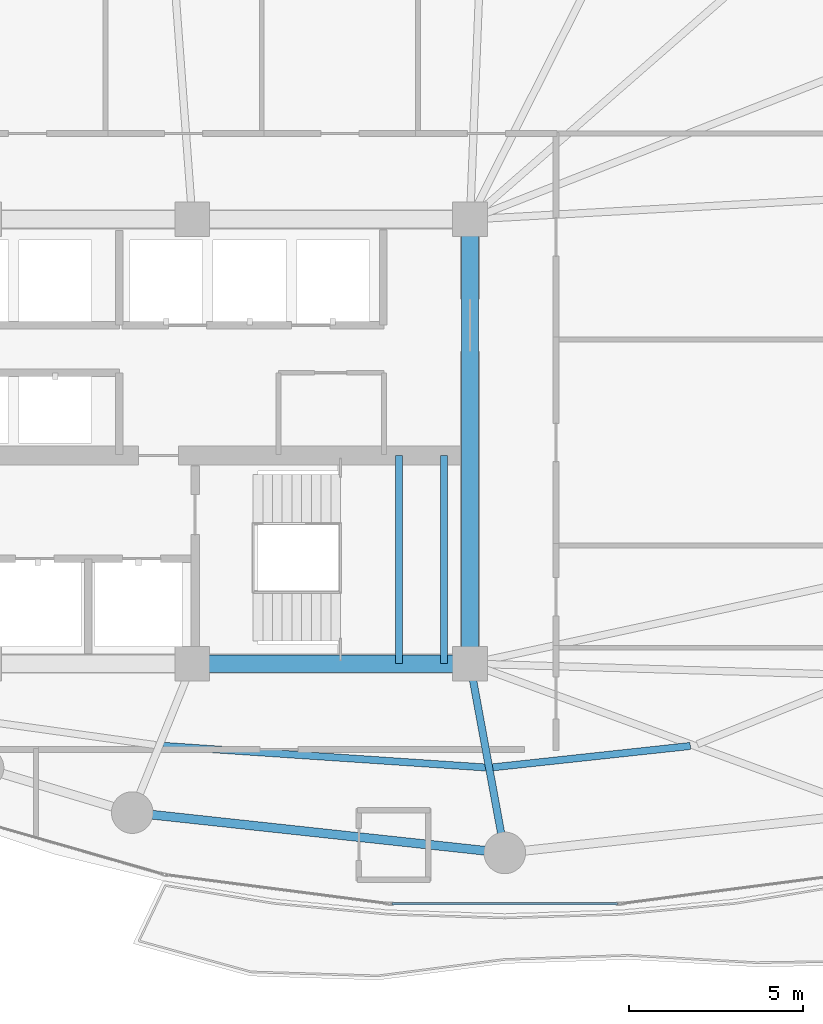
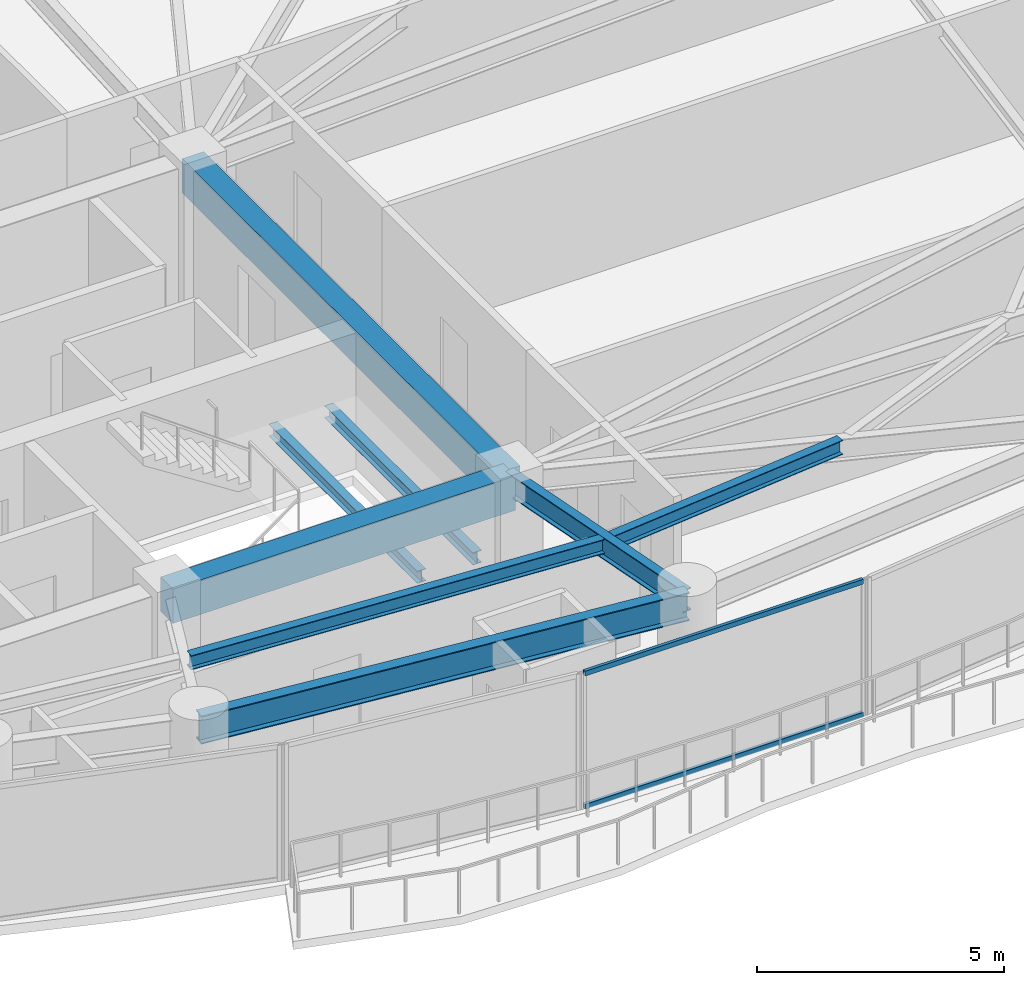
# One storey, part 6 of 28: 8 beams, 2 members, 1 element without a shape of its own.
"""IFC4 building model written with IfcOpenShell, lengths in metres."""

from ifc_helpers import new_model, si_unit, direction, frame, origin, origin_2d, place, context, subcontext, project, spatial, rectangle, hollow_rectangle, i_section, extrude, material, layer, layer_set, material_profile, profile_set, type_object, element, aggregate, save


model = new_model("IFC4")

# Units and contexts
model_context = context("Model", 3, precision=1e-05, world=origin(), true_north=direction((0.0, 1.0)))
body_context = subcontext(model_context, "Body", "Model", "MODEL_VIEW")
ifc_project = project(units=[si_unit("LENGTHUNIT", "METRE"), si_unit("AREAUNIT", "SQUARE_METRE"), si_unit("VOLUMEUNIT", "CUBIC_METRE"), si_unit("PLANEANGLEUNIT", "RADIAN"), si_unit("MASSUNIT", "GRAM", prefix="KILO")], contexts=[model_context])

# Site, building, storey
site_placement = place(None, origin())
site = spatial("IfcSite", under=ifc_project, at=site_placement, CompositionType="ELEMENT")
building_placement = place(site_placement, origin())
building = spatial("IfcBuilding", under=site, at=building_placement, Name="Kazevale Care Tower and Concert Hall", CompositionType="ELEMENT")
storey_placement = place(building_placement, frame((0.0, 0.0, 102.60009765625)))
storey = spatial("IfcBuildingStorey", under=building, at=storey_placement, Name="L26", CompositionType="ELEMENT", Elevation=102.60009765625)

# Curtain wall, members
ifc_material_1 = material(Name="Aluminium 6063-T6 and Low-E Glass", Category="aluminium")
ifc_layer = layer(ifc_material_1, 0.179931640625)
ifc_layer_set = layer_set([ifc_layer], Name="Aluminium 6063-T6 and Low-E Glass")
curtain_wall_type = type_object("IfcCurtainWallType", Name="Sheltered Concave Balcony Curtain Wall CW-5", PredefinedType="NOTDEFINED", material=ifc_layer_set)
curtain_wall_placement = place(storey_placement, origin())
curtain_wall = element("IfcCurtainWall", 1, at=curtain_wall_placement, inside=storey, type_object=curtain_wall_type, Name="cw:L26:f06", PredefinedType="NOTDEFINED")
ifc_material_2 = material(Name="Aluminium 6063-T6", Category="aluminium")
ifc_material_profile_1 = material_profile(ifc_material_2, hollow_rectangle(XDim=0.074951171875, YDim=0.1201171875, WallThickness=0.00390625, at=origin_2d()), Name="ALU75x120x4")
ifc_profile_set_1 = profile_set([ifc_material_profile_1], Name="Aluminium 6063-T6")
member_type = type_object("IfcMemberType", Name="CW-5 Transom ALU75x120x4", PredefinedType="USERDEFINED", material=ifc_profile_set_1)
member_1_placement = place(storey_placement, frame((48.25, 16.68408203125, 0.037353515625), z_axis=(-1.0, 0.0, 0.0), x_axis=(0.0, -1.0, 0.0)))
member_1 = element("IfcMember", 2, at=member_1_placement, type_object=member_type, Name="CW-5 transom 1.1", ObjectType="TRANSOM", PredefinedType="USERDEFINED", context=body_context, shape_type="SweptSolid", body=[
    extrude(hollow_rectangle(XDim=0.074951171875, YDim=0.1201171875, WallThickness=0.00390625, at=origin_2d()), origin(), (0.0, 0.0, 1.0), 6.5),
])
member_2_placement = place(storey_placement, frame((48.25, 16.68408203125, 3.322509765625), z_axis=(-1.0, 0.0, 0.0), x_axis=(0.0, -1.0, 0.0)))
member_2 = element("IfcMember", 3, at=member_2_placement, type_object=member_type, Name="CW-5 transom 1.2", ObjectType="TRANSOM", PredefinedType="USERDEFINED", context=body_context, shape_type="SweptSolid", body=[
    extrude(hollow_rectangle(XDim=0.074951171875, YDim=0.1201171875, WallThickness=0.00390625, at=origin_2d()), origin(), (0.0, 0.0, 1.0), 6.5),
])
aggregate(curtain_wall, [member_1, member_2])

# Beams
ifc_material_3 = material(Name="Concrete C60", Category="concrete")
ifc_material_profile_2 = material_profile(ifc_material_3, rectangle(XDim=0.5, YDim=0.85009765625, at=origin_2d()), Name="RC-B500x850")
ifc_profile_set_2 = profile_set([ifc_material_profile_2], Name="Concrete C60")
beam_type_1 = type_object("IfcBeamType", Name="Core Coupling Beam RC500x850", PredefinedType="LINTEL", material=ifc_profile_set_2)
beam_1_placement = place(storey_placement, frame((36.0, 23.60009765625, 2.934814453125), z_axis=(1.0, 0.0, 0.0), x_axis=(0.0, 1.0, 0.0)))
element("IfcBeam", 4, at=beam_1_placement, inside=storey, type_object=beam_type_1, Name="beam:L26:coretie:3", PredefinedType="LINTEL", context=body_context, shape_type="SweptSolid", body=[
    extrude(rectangle(XDim=0.5, YDim=0.85009765625, at=origin_2d()), origin(), (0.0, 0.0, 1.0), 8.0),
])
beam_2_placement = place(storey_placement, frame((44.0, 23.60009765625, 2.934814453125), z_axis=(0.0, 1.0, 0.0), x_axis=(-1.0, 0.0, 0.0)))
element("IfcBeam", 5, at=beam_2_placement, inside=storey, type_object=beam_type_1, Name="beam:L26:coretie:4", PredefinedType="LINTEL", context=body_context, shape_type="SweptSolid", body=[
    extrude(rectangle(XDim=0.5, YDim=0.85009765625, at=origin_2d()), origin(), (0.0, 0.0, 1.0), 12.7998046875),
])
ifc_material_4 = material(Name="Steel ASTM A572 Gr 50", Category="steel")
ifc_material_profile_3 = material_profile(ifc_material_4, i_section(OverallWidth=0.2119140625, OverallDepth=0.5439453125, WebThickness=0.01318359375, FlangeThickness=0.021240234375, at=origin_2d()), Name="W530x123")
ifc_profile_set_3 = profile_set([ifc_material_profile_3], Name="Steel ASTM A572 Gr 50")
beam_type_2 = type_object("IfcBeamType", Name="Radial Floor Girder W530x123", PredefinedType="BEAM", material=ifc_profile_set_3)
beam_3_placement = place(storey_placement, frame((44.0, 23.60009765625, 3.087890625), z_axis=(0.180467114023, -0.983581018908, 0.0), x_axis=(0.983581018908, 0.180467114023, 0.0)))
element("IfcBeam", 6, at=beam_3_placement, inside=storey, type_object=beam_type_2, Name="beam:L26:rad:13", PredefinedType="BEAM", context=body_context, shape_type="SweptSolid", body=[
    extrude(i_section(OverallWidth=0.2119140625, OverallDepth=0.5439453125, WebThickness=0.01318359375, FlangeThickness=0.021240234375, at=origin_2d()), origin(), (0.0, 0.0, 1.0), 5.541259765625),
])
ifc_material_profile_4 = material_profile(ifc_material_4, i_section(OverallWidth=0.205078125, OverallDepth=0.35400390625, WebThickness=0.009521484375, FlangeThickness=0.016845703125, at=origin_2d()), Name="W360x79")
ifc_profile_set_4 = profile_set([ifc_material_profile_4], Name="Steel ASTM A572 Gr 50")
beam_type_3 = type_object("IfcBeamType", Name="Secondary Floor Joist W360x79", PredefinedType="JOIST", material=ifc_profile_set_4)
beam_4_placement = place(storey_placement, frame((35.153076171875, 21.23291015625, 3.182861328125), z_axis=(0.997761314569, -0.06687569925, 0.0), x_axis=(0.06687569925, 0.997761314569, 0.0)))
element("IfcBeam", 7, at=beam_4_placement, inside=storey, type_object=beam_type_3, Name="beam:L26:joist:12", PredefinedType="JOIST", context=body_context, shape_type="SweptSolid", body=[
    extrude(i_section(OverallWidth=0.205078125, OverallDepth=0.35400390625, WebThickness=0.009521484375, FlangeThickness=0.016845703125, at=origin_2d()), origin(), (0.0, 0.0, 1.0), 9.312744140625),
])
beam_5_placement = place(storey_placement, frame((44.654052734375, 20.614013671875, 3.182861328125), z_axis=(0.994215541126, 0.107403248482, 0.0), x_axis=(-0.107403248482, 0.994215541126, 0.0)))
element("IfcBeam", 8, at=beam_5_placement, inside=storey, type_object=beam_type_3, Name="beam:L26:joist:13", PredefinedType="JOIST", context=body_context, shape_type="SweptSolid", body=[
    extrude(i_section(OverallWidth=0.205078125, OverallDepth=0.35400390625, WebThickness=0.009521484375, FlangeThickness=0.016845703125, at=origin_2d()), origin(), (0.0, 0.0, 1.0), 5.72607421875),
])
ifc_material_profile_5 = material_profile(ifc_material_4, i_section(OverallWidth=0.202880859375, OverallDepth=0.302978515625, WebThickness=0.007568359375, FlangeThickness=0.01318359375, at=origin_2d()), Name="W310x60")
ifc_profile_set_5 = profile_set([ifc_material_profile_5], Name="Steel ASTM A572 Gr 50")
beam_type_4 = type_object("IfcBeamType", Name="Stair & Balcony Trimmer W310x60", PredefinedType="BEAM", material=ifc_profile_set_5)
for number, where, z_axis, x_axis, name in (
    (9, (41.949951171875, 23.60009765625, 1.448486328125), (0.0, 1.0, 0.0), (-1.0, 0.0, 0.0), "beam:L26:sttrim:ST2"),
    (10, (43.25, 23.60009765625, 1.448486328125), (0.0, 1.0, 0.0), (-1.0, 0.0, 0.0), "beam:L26:sttrim:ST2b"),
):
    element("IfcBeam", number, at=place(storey_placement, frame(where, z_axis=z_axis, x_axis=x_axis)), inside=storey, type_object=beam_type_4, Name=name, PredefinedType="BEAM", context=body_context, shape_type="SweptSolid", body=[
        extrude(i_section(OverallWidth=0.202880859375, OverallDepth=0.302978515625, WebThickness=0.007568359375, FlangeThickness=0.01318359375, at=origin_2d()), origin(), (0.0, 0.0, 1.0), 6.0),
    ])
ifc_material_profile_6 = material_profile(ifc_material_4, i_section(OverallWidth=0.256103515625, OverallDepth=0.693115234375, WebThickness=0.014404296875, FlangeThickness=0.023681640625, at=origin_2d()), Name="W690x170")
ifc_profile_set_6 = profile_set([ifc_material_profile_6], Name="Steel ASTM A572 Gr 50")
beam_type_5 = type_object("IfcBeamType", Name="Waist Ring Beam W690x170", PredefinedType="BEAM", material=ifc_profile_set_6)
beam_6_placement = place(storey_placement, frame((34.27001953125, 19.31005859375, 3.013427734375), z_axis=(0.994205479487, -0.107496346724, 0.0), x_axis=(0.107496346724, 0.994205479487, 0.0)))
element("IfcBeam", 11, at=beam_6_placement, inside=storey, type_object=beam_type_5, Name="beam:L26:ring:12", PredefinedType="BEAM", context=body_context, shape_type="SweptSolid", body=[
    extrude(i_section(OverallWidth=0.256103515625, OverallDepth=0.693115234375, WebThickness=0.014404296875, FlangeThickness=0.023681640625, at=origin_2d()), origin(), (0.0, 0.0, 1.0), 10.79248046875),
])

save(model, "model.ifc")
